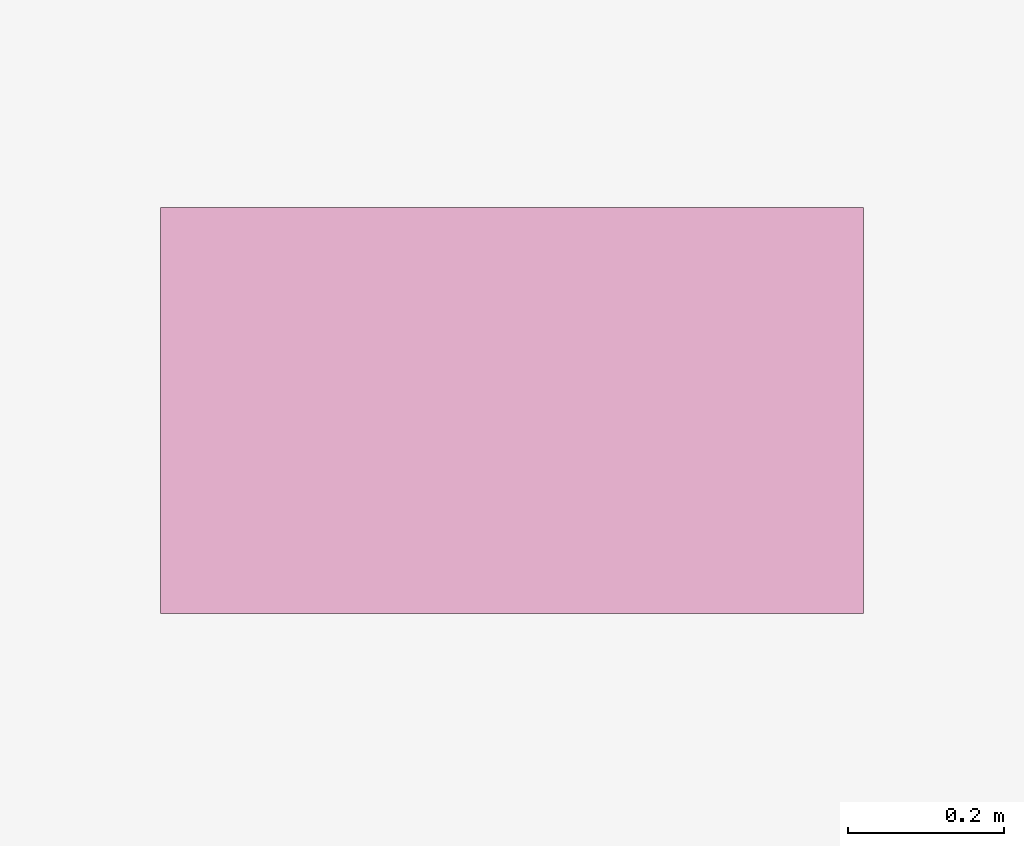
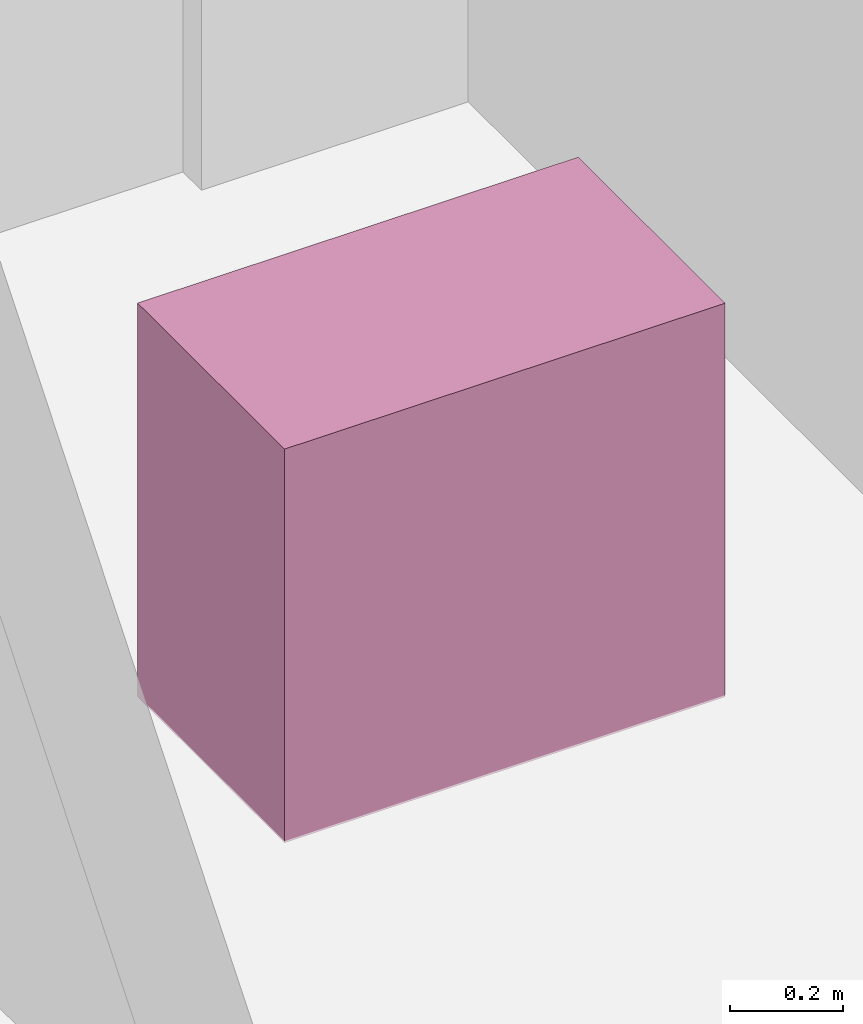
# One storey, part 30 of 30: 1 furnishing.
"""IFC4 building model written with IfcOpenShell, lengths in metres."""

import ifcopenshell
import ifcopenshell.guid

model = None  # the IFC model being written
_history = None  # IfcOwnerHistory: only IFC2X3 demands one
_inside = {}  # id of a spatial element -> (the spatial element, [elements in it])
_under = {}  # id of a project, library or spatial element -> (it, [spatial elements below it])
_declared = {}  # id of a project -> (the project, [libraries it declares])
_typed = {}  # id of a type object -> (the type object, [elements of that type])
_made_of = {}  # id of a material, layer set ... -> (it, [elements and type objects made of it])


def new_model(schema):
    """Start an empty IFC model of exactly this schema.

    Asked for "IFC4X3", IfcOpenShell would pick the latest addendum, in which some entities
    have other attributes; the version numbers below select the first issue.
    IFC2X3 requires an IfcOwnerHistory on every rooted entity: one is made here for all.
    """
    global model, _history
    if schema == "IFC4X3":
        model = ifcopenshell.file(schema_version=(4, 3, 0, 0))
    else:
        model = ifcopenshell.file(schema=schema)
    _inside.clear()
    _under.clear()
    _declared.clear()
    _typed.clear()
    _made_of.clear()
    _history = None
    if model.schema == "IFC2X3":
        org = make("IfcOrganization", Name="unknown")
        user = make(
            "IfcPersonAndOrganization",
            ThePerson=make("IfcPerson", FamilyName="unknown"),
            TheOrganization=org,
        )
        app = make(
            "IfcApplication",
            ApplicationDeveloper=org,
            Version="unknown",
            ApplicationFullName="unknown",
            ApplicationIdentifier="unknown",
        )
        _history = make(
            "IfcOwnerHistory",
            OwningUser=user,
            OwningApplication=app,
            ChangeAction="ADDED",
            CreationDate=0,
        )
    return model


def make(cls, **values):
    """One entity of the class cls with the attributes given. An attribute that is None is left unset."""
    return model.create_entity(
        cls, **{name: value for name, value in values.items() if value is not None}
    )


def rooted(cls, **values):
    """An entity with a GlobalId (a new one), such as an element, a storey or a relation."""
    return make(cls, GlobalId=ifcopenshell.guid.new(), OwnerHistory=_history, **values)


def si_unit(unit_type, name, prefix=None):
    """IfcSIUnit, for example si_unit("LENGTHUNIT", "METRE", prefix="MILLI")."""
    return make("IfcSIUnit", UnitType=unit_type, Prefix=prefix, Name=name)


def assignment(units):
    """IfcUnitAssignment: the units of a project."""
    return None if units is None else make("IfcUnitAssignment", Units=units)


def point(xyz):
    """IfcCartesianPoint."""
    return None if xyz is None else make("IfcCartesianPoint", Coordinates=xyz)


def direction(xyz):
    """IfcDirection."""
    return None if xyz is None else make("IfcDirection", DirectionRatios=xyz)


def frame(location, z_axis=None, x_axis=None):
    """IfcAxis2Placement3D, a coordinate frame: its origin and axes. An axis left out is left unset."""
    return make(
        "IfcAxis2Placement3D",
        Location=point(location),
        Axis=direction(z_axis),
        RefDirection=direction(x_axis),
    )


def frame_2d(location, x_axis=None):
    """IfcAxis2Placement2D, a coordinate frame in the plane: its origin and x axis."""
    return make(
        "IfcAxis2Placement2D", Location=point(location), RefDirection=direction(x_axis)
    )


def origin():
    """The frame at (0, 0, 0) with its axes left unset."""
    return frame((0.0, 0.0, 0.0))


def origin_2d():
    """The frame at (0, 0) in the plane with its x axis left unset."""
    return frame_2d((0.0, 0.0))


def place(relative_to, where):
    """IfcLocalPlacement: puts the frame where relative to a parent placement (None: the world)."""
    return make(
        "IfcLocalPlacement", PlacementRelTo=relative_to, RelativePlacement=where
    )


def context(
    kind, dimensions, precision=None, world=None, true_north=None, identifier=None
):
    """IfcGeometricRepresentationContext, for example the 3D "Model" context."""
    return make(
        "IfcGeometricRepresentationContext",
        ContextIdentifier=identifier,
        ContextType=kind,
        CoordinateSpaceDimension=dimensions,
        Precision=precision,
        WorldCoordinateSystem=world,
        TrueNorth=true_north,
    )


def subcontext(parent, identifier, kind, view, scale=None):
    """IfcGeometricRepresentationSubContext, for example "Body" below "Model"."""
    return make(
        "IfcGeometricRepresentationSubContext",
        ContextIdentifier=identifier,
        ContextType=kind,
        ParentContext=parent,
        TargetScale=scale,
        TargetView=view,
    )


def project(units=None, contexts=None):
    """IfcProject with its units and contexts."""
    return rooted(
        "IfcProject",
        Name="project",
        RepresentationContexts=contexts,
        UnitsInContext=assignment(units),
    )


def spatial(cls, under=None, at=None, **own):
    """A site, building, storey or space (cls), placed at a placement, below another one or the project."""
    s = rooted(cls, ObjectPlacement=at, **own)
    if under is not None:
        _under.setdefault(under.id(), (under, []))[1].append(s)
    return s


def profile(cls, at=None, kind="AREA", **sizes):
    """A parametric profile (cls). Its sizes go by their IFC names, for example OverallWidth=200.0."""
    return make(cls, ProfileType=kind, Position=at, **sizes)


def rectangle(**sizes):
    """IfcRectangleProfileDef."""
    return profile("IfcRectangleProfileDef", **sizes)


def extrude(swept, where, along, depth):
    """IfcExtrudedAreaSolid: the profile swept, set in the frame where, extruded along a direction by depth."""
    return make(
        "IfcExtrudedAreaSolid",
        SweptArea=swept,
        Position=where,
        ExtrudedDirection=direction(along),
        Depth=depth,
    )


def shape(context_of_items, identifier, shape_type, items):
    """IfcShapeRepresentation: the items that make up one representation, for example the "Body"."""
    return make(
        "IfcShapeRepresentation",
        ContextOfItems=context_of_items,
        RepresentationIdentifier=identifier,
        RepresentationType=shape_type,
        Items=items,
    )


def material(Name=None, Category=None):
    """IfcMaterial."""
    return make("IfcMaterial", Name=Name, Category=Category)


def made_of(thing, what):
    """Note that an element or type object is made of a material, layer set ...; save() writes the relation."""
    if what is not None:
        _made_of.setdefault(what.id(), (what, []))[1].append(thing)
    return thing


def type_object(cls, material=None, **own):
    """A type object (cls), such as IfcWallType, which elements share."""
    return made_of(rooted(cls, **own), material)


def element(
    cls,
    number,
    at=None,
    inside=None,
    cuts=None,
    type_object=None,
    material=None,
    context=None,
    identifier="Body",
    shape_type=None,
    held_by="IfcProductDefinitionShape",
    body=None,
    shapes=None,
    **own,
):
    """One element of the class cls, such as IfcWall. Its Tag is "e" and its number.

    at: its placement. inside: the storey or other place that contains it. cuts: it is an
    opening in that element (IfcRelVoidsElement). A single representation is given by context,
    identifier, shape_type and body (its items); several are given by shapes. held_by: the class
    of the entity that holds the representations. save() writes the other relations.
    """
    e = rooted(cls, Tag="e%d" % number, ObjectPlacement=at, **own)
    if body is not None:
        shapes = [shape(context, identifier, shape_type, body)]
    if shapes is not None:
        e.Representation = make(held_by, Representations=shapes)
    if inside is not None:
        _inside.setdefault(inside.id(), (inside, []))[1].append(e)
    if cuts is not None:
        rooted(
            "IfcRelVoidsElement", RelatingBuildingElement=cuts, RelatedOpeningElement=e
        )
    if type_object is not None:
        _typed.setdefault(type_object.id(), (type_object, []))[1].append(e)
    return made_of(e, material)


def aggregate(whole, parts):
    """IfcRelAggregates: a whole, such as a stair, and the parts it consists of."""
    return rooted("IfcRelAggregates", RelatingObject=whole, RelatedObjects=parts)


def save(model, path):
    """Write the relations noted so far, then the file.

    IfcRelAggregates (storeys below a building ...), IfcRelContainedInSpatialStructure (elements
    in a storey), IfcRelDefinesByType, IfcRelAssociatesMaterial and IfcRelDeclares: one each for
    every whole, place, type object, material and project.
    """
    for whole, parts in _under.values():
        aggregate(whole, parts)
    for where, things in _inside.values():
        rooted(
            "IfcRelContainedInSpatialStructure",
            RelatedElements=things,
            RelatingStructure=where,
        )
    for kind, things in _typed.values():
        rooted("IfcRelDefinesByType", RelatedObjects=things, RelatingType=kind)
    for what, things in _made_of.values():
        rooted("IfcRelAssociatesMaterial", RelatedObjects=things, RelatingMaterial=what)
    for by, libraries in _declared.values():
        rooted("IfcRelDeclares", RelatingContext=by, RelatedDefinitions=libraries)
    model.write(path)


model = new_model("IFC4")

# Units and contexts
model_context = context("Model", 3, precision=1e-05, world=origin(), true_north=direction((0.0, 1.0)))
body_context = subcontext(model_context, "Body", "Model", "MODEL_VIEW")
ifc_project = project(units=[si_unit("LENGTHUNIT", "METRE"), si_unit("AREAUNIT", "SQUARE_METRE"), si_unit("VOLUMEUNIT", "CUBIC_METRE"), si_unit("PLANEANGLEUNIT", "RADIAN"), si_unit("MASSUNIT", "GRAM", prefix="KILO")], contexts=[model_context])

# Site, building, storey
site_placement = place(None, origin())
site = spatial("IfcSite", under=ifc_project, at=site_placement, CompositionType="ELEMENT")
building_placement = place(site_placement, origin())
building = spatial("IfcBuilding", under=site, at=building_placement, Name="Vorneva Point Tower", CompositionType="ELEMENT")
storey_placement = place(building_placement, frame((0.0, 0.0, 157.10009765625)))
storey = spatial("IfcBuildingStorey", under=building, at=storey_placement, Name="L42", CompositionType="ELEMENT", Elevation=157.10009765625)

# Furnishing
ifc_material = material(Name="Vitreous china and granite top", Category="masonry")
furniture_type = type_object("IfcFurnitureType", Name="FUR-VAN-900", AssemblyPlace="NOTDEFINED", PredefinedType="NOTDEFINED", material=ifc_material)
furnishing_placement = place(storey_placement, frame((34.52490234375, 32.1201171875, -0.005126953125), z_axis=(0.0, 0.0, 1.0), x_axis=(1.0, 0.0, 0.0)))
element("IfcFurnishingElement", 1, at=furnishing_placement, inside=storey, type_object=furniture_type, Name="L42 Accessible WC Vanity Unit", ObjectType="L42 Accessible WC Vanity Unit", context=body_context, shape_type="SweptSolid", body=[
    extrude(rectangle(XDim=0.89990234375, YDim=0.52001953125, at=origin_2d()), origin(), (0.0, 0.0, 1.0), 0.85009765625),
])

save(model, "model.ifc")
